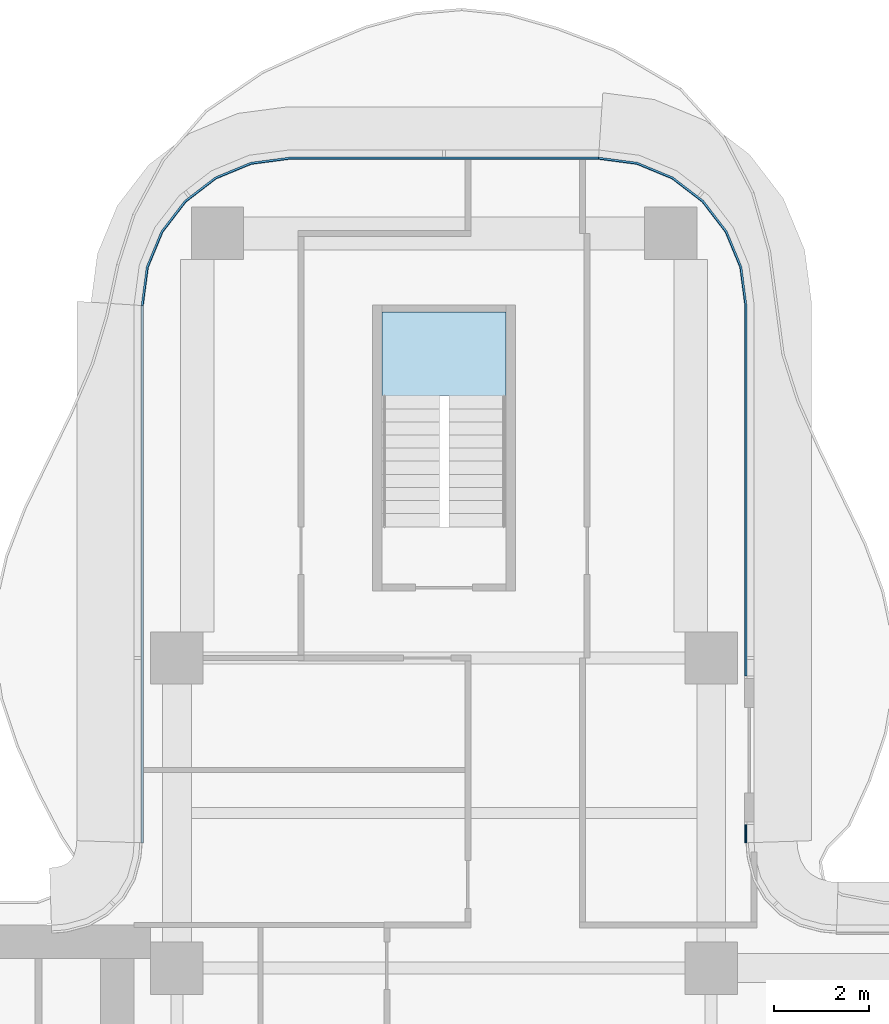
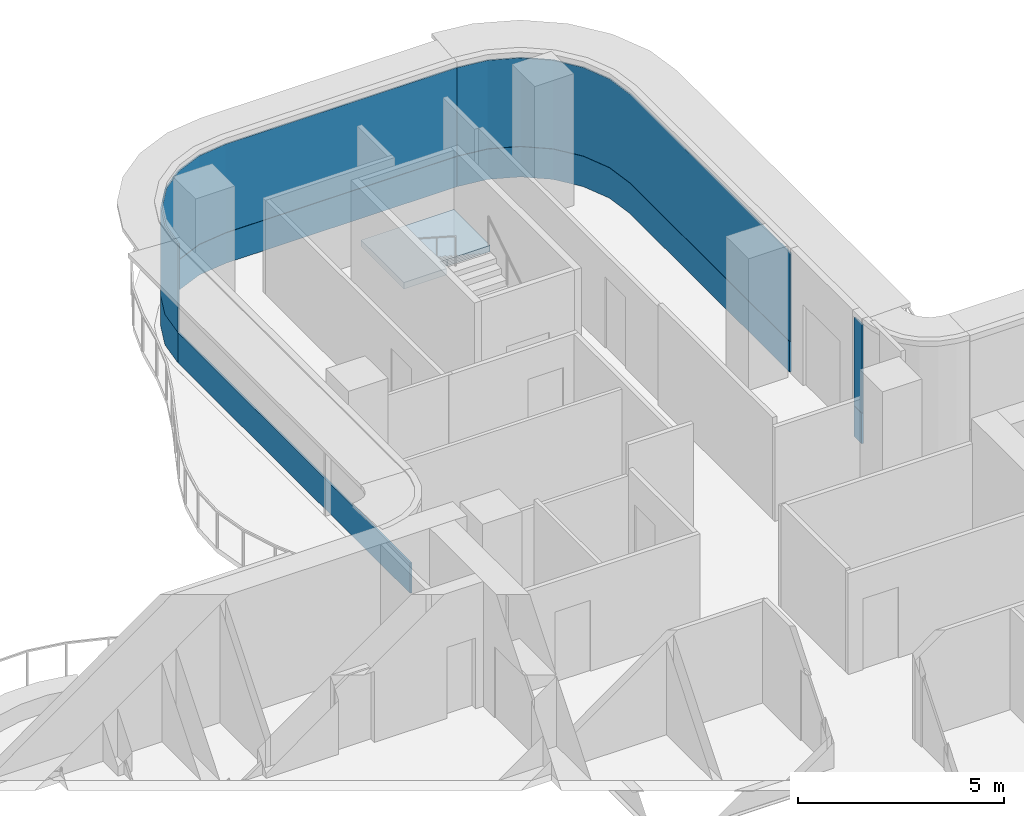
# One storey, part 10 of 16: 7 plates, 1 slab, 5 elements without a shape of their own.
"""IFC4 building model written with IfcOpenShell, lengths in metres."""

from ifc_helpers import new_model, si_unit, direction, frame, origin, place, context, subcontext, project, spatial, polyline, outline, extrude, source, transform, mapped, material, layer, layer_set, type_object, element, aggregate, save


model = new_model("IFC4")

# Units and contexts
model_context = context("Model", 3, precision=1e-05, world=origin(), true_north=direction((0.0, 1.0)))
body_context = subcontext(model_context, "Body", "Model", "MODEL_VIEW")
ifc_project = project(units=[si_unit("LENGTHUNIT", "METRE"), si_unit("AREAUNIT", "SQUARE_METRE"), si_unit("VOLUMEUNIT", "CUBIC_METRE"), si_unit("PLANEANGLEUNIT", "RADIAN"), si_unit("MASSUNIT", "GRAM", prefix="KILO")], contexts=[model_context])

# Site, building, storey
site_placement = place(None, origin())
site = spatial("IfcSite", under=ifc_project, at=site_placement, CompositionType="ELEMENT")
building_placement = place(site_placement, origin())
building = spatial("IfcBuilding", under=site, at=building_placement, Name="Trellis Farm Tower", CompositionType="ELEMENT")
storey_placement = place(building_placement, frame((0.0, 0.0, 255.800048828125)))
storey = spatial("IfcBuildingStorey", under=building, at=storey_placement, Name="L57", CompositionType="ELEMENT", Elevation=255.800048828125)

# Stair, slab
ifc_material_1 = material(Name="Concrete C50/60", Category="concrete")
stair_type = type_object("IfcStairType", Name="CORE EXIT STAIR 22 RISERS 177 MM", PredefinedType="HALF_TURN_STAIR", material=ifc_material_1)
placement_1 = place(storey_placement, origin())
stair = element("IfcStair", 1, at=placement_1, inside=storey, type_object=stair_type, Name="Exit stair N", PredefinedType="HALF_TURN_STAIR")
ifc_layer_1 = layer(ifc_material_1, 0.18994140625)
ifc_layer_set_1 = layer_set([ifc_layer_1], Name="CORE STAIR LANDING 190 CONCRETE C50/60")
slab_type = type_object("IfcSlabType", Name="CORE STAIR LANDING 190 CONCRETE C50/60", PredefinedType="LANDING", material=ifc_layer_set_1)
shared_shape_1 = source(origin(), body_context, "Body", "SweptSolid", [
    extrude(outline(polyline([(-0.10009765625, 17.27197265625), (-1.300048828125, 17.27197265625), (-1.300048828125, 17.60009765625), (-1.300048828125, 19.35009765625), (1.300048828125, 19.35009765625), (1.300048828125, 17.60009765625), (1.300048828125, 17.590087890625), (0.10009765625, 17.590087890625), (0.10009765625, 17.60009765625), (-0.10009765625, 17.60009765625), (-0.10009765625, 17.27197265625)])), origin(), (0.0, 0.0, 1.0), 0.18994140625),
])
slab_placement = place(storey_placement, frame((0.0, 0.0, 1.760009765625)))
slab = element("IfcSlab", 2, at=slab_placement, type_object=slab_type, Name="STN landing 1", PredefinedType="LANDING", context=body_context, shape_type="MappedRepresentation", body=[
    mapped(shared_shape_1, transform((0.0, 0.0, 0.0))),
])
aggregate(stair, [slab])

# Curtain wall, plates
ifc_material_2 = material(Name="Aluminium and glass curtain wall", Category="aluminium")
ifc_layer_2 = layer(ifc_material_2, 0.18994140625)
ifc_layer_set_2 = layer_set([ifc_layer_2], Name="RIBBON CURTAIN WALL CW1")
curtain_wall_type = type_object("IfcCurtainWallType", Name="RIBBON CURTAIN WALL CW1", PredefinedType="NOTDEFINED", material=ifc_layer_set_2)
curtain_wall_1 = element("IfcCurtainWall", 3, at=placement_1, inside=storey, type_object=curtain_wall_type, Name="CW1 010", PredefinedType="NOTDEFINED")
ifc_material_3 = material(Name="Clear insulated glass", Category="glass")
ifc_layer_3 = layer(ifc_material_3, 0.0400390625)
ifc_layer_set_3 = layer_set([ifc_layer_3], Name="CW1 GLASS PANEL 40")
plate_type_1 = type_object("IfcPlateType", Name="CW1 GLASS PANEL 40", PredefinedType="CURTAIN_PANEL", material=ifc_layer_set_3)
shared_shape_2 = source(origin(), body_context, "Body", "SweptSolid", [
    extrude(outline(polyline([(3.240234375, 22.60009765625), (-3.240234375, 22.60009765625), (-4.052001953125, 22.4931640625), (-4.79931640625, 22.18359375), (-5.441162109375, 21.691162109375), (-5.93359375, 21.04931640625), (-6.2431640625, 20.302001953125), (-6.35009765625, 19.490234375), (-6.31005859375, 19.487548828125), (-6.2041015625, 20.29150390625), (-5.898681640625, 21.029296875), (-5.41259765625, 21.66259765625), (-4.779296875, 22.148681640625), (-4.04150390625, 22.4541015625), (-3.237548828125, 22.56005859375), (3.237548828125, 22.56005859375), (3.240234375, 22.60009765625)])), origin(), (0.0, 0.0, 1.0), 2.6201171875),
])
placement_2 = place(storey_placement, frame((0.0, 0.0, 0.89990234375)))
plate_1 = element("IfcPlate", 4, at=placement_2, type_object=plate_type_1, Name="PL1 010", PredefinedType="CURTAIN_PANEL", context=body_context, shape_type="MappedRepresentation", body=[
    mapped(shared_shape_2, transform((0.0, 0.0, 0.0))),
])
ifc_material_4 = material(Name="Sandstone faced insulated panel", Category="masonry")
ifc_layer_4 = layer(ifc_material_4, 0.050048828125)
ifc_layer_set_4 = layer_set([ifc_layer_4], Name="CW1 STONE SPANDREL PANEL 50")
plate_type_2 = type_object("IfcPlateType", Name="CW1 STONE SPANDREL PANEL 50", PredefinedType="CURTAIN_PANEL", material=ifc_layer_set_4)
shared_shape_3 = source(origin(), body_context, "Body", "SweptSolid", [
    extrude(outline(polyline([(3.240234375, 22.60009765625), (-3.240234375, 22.60009765625), (-4.052001953125, 22.4931640625), (-4.79931640625, 22.18359375), (-5.441162109375, 21.691162109375), (-5.93359375, 21.04931640625), (-6.2431640625, 20.302001953125), (-6.35009765625, 19.490234375), (-6.300048828125, 19.48681640625), (-6.1943359375, 20.2890625), (-5.889892578125, 21.024169921875), (-5.405517578125, 21.655517578125), (-4.774169921875, 22.139892578125), (-4.0390625, 22.4443359375), (-3.23681640625, 22.550048828125), (3.23681640625, 22.550048828125), (3.240234375, 22.60009765625)])), origin(), (0.0, 0.0, 1.0), 0.89990234375),
])
plate_2 = element("IfcPlate", 5, at=placement_1, type_object=plate_type_2, Name="PS1 010", PredefinedType="CURTAIN_PANEL", context=body_context, shape_type="MappedRepresentation", body=[
    mapped(shared_shape_3, transform((0.0, 0.0, 0.0))),
])
aggregate(curtain_wall_1, [plate_1, plate_2])

# Curtain wall, plate
curtain_wall_2 = element("IfcCurtainWall", 6, at=placement_1, inside=storey, type_object=curtain_wall_type, Name="CW1 011", PredefinedType="NOTDEFINED")
shared_shape_4 = source(origin(), body_context, "Body", "SweptSolid", [
    extrude(outline(polyline([(-6.35009765625, 19.490234375), (-6.35009765625, 8.2265625), (-6.300048828125, 8.224853515625), (-6.300048828125, 19.48681640625), (-6.35009765625, 19.490234375)])), origin(), (0.0, 0.0, 1.0), 0.89990234375),
])
plate_3 = element("IfcPlate", 7, at=placement_1, type_object=plate_type_2, Name="PS1 011", PredefinedType="CURTAIN_PANEL", context=body_context, shape_type="MappedRepresentation", body=[
    mapped(shared_shape_4, transform((0.0, 0.0, 0.0))),
])
aggregate(curtain_wall_2, [plate_3])

# Curtain wall, plates
curtain_wall_3 = element("IfcCurtainWall", 8, at=placement_1, inside=storey, type_object=curtain_wall_type, Name="CW1 008", PredefinedType="NOTDEFINED")
shared_shape_5 = source(origin(), body_context, "Body", "SweptSolid", [
    extrude(outline(polyline([(6.35009765625, 8.2265625), (6.35009765625, 8.605712890625), (6.31005859375, 8.605712890625), (6.31005859375, 8.22509765625), (6.35009765625, 8.2265625)])), origin(), (0.0, 0.0, 1.0), 2.6201171875),
])
plate_4 = element("IfcPlate", 9, at=placement_2, type_object=plate_type_1, Name="PL1 008", PredefinedType="CURTAIN_PANEL", context=body_context, shape_type="MappedRepresentation", body=[
    mapped(shared_shape_5, transform((0.0, 0.0, 0.0))),
])
shared_shape_6 = source(origin(), body_context, "Body", "SweptSolid", [
    extrude(outline(polyline([(6.35009765625, 8.2265625), (6.35009765625, 8.605712890625), (6.300048828125, 8.605712890625), (6.300048828125, 8.224853515625), (6.35009765625, 8.2265625)])), origin(), (0.0, 0.0, 1.0), 0.89990234375),
])
plate_5 = element("IfcPlate", 10, at=placement_1, type_object=plate_type_2, Name="PS1 008", PredefinedType="CURTAIN_PANEL", context=body_context, shape_type="MappedRepresentation", body=[
    mapped(shared_shape_6, transform((0.0, 0.0, 0.0))),
])
aggregate(curtain_wall_3, [plate_4, plate_5])

curtain_wall_4 = element("IfcCurtainWall", 11, at=placement_1, inside=storey, type_object=curtain_wall_type, Name="CW1 009", PredefinedType="NOTDEFINED")
shared_shape_7 = source(origin(), body_context, "Body", "SweptSolid", [
    extrude(outline(polyline([(6.35009765625, 11.7255859375), (6.35009765625, 19.490234375), (6.2431640625, 20.302001953125), (5.93359375, 21.04931640625), (5.441162109375, 21.691162109375), (4.79931640625, 22.18359375), (4.052001953125, 22.4931640625), (3.240234375, 22.60009765625), (3.237548828125, 22.56005859375), (4.04150390625, 22.4541015625), (4.779296875, 22.148681640625), (5.41259765625, 21.66259765625), (5.898681640625, 21.029296875), (6.2041015625, 20.29150390625), (6.31005859375, 19.487548828125), (6.31005859375, 11.7255859375), (6.35009765625, 11.7255859375)])), origin(), (0.0, 0.0, 1.0), 2.6201171875),
])
plate_6 = element("IfcPlate", 12, at=placement_2, type_object=plate_type_1, Name="PL1 009", PredefinedType="CURTAIN_PANEL", context=body_context, shape_type="MappedRepresentation", body=[
    mapped(shared_shape_7, transform((0.0, 0.0, 0.0))),
])
shared_shape_8 = source(origin(), body_context, "Body", "SweptSolid", [
    extrude(outline(polyline([(6.35009765625, 11.7255859375), (6.35009765625, 19.490234375), (6.2431640625, 20.302001953125), (5.93359375, 21.04931640625), (5.441162109375, 21.691162109375), (4.79931640625, 22.18359375), (4.052001953125, 22.4931640625), (3.240234375, 22.60009765625), (3.23681640625, 22.550048828125), (4.0390625, 22.4443359375), (4.774169921875, 22.139892578125), (5.405517578125, 21.655517578125), (5.889892578125, 21.024169921875), (6.1943359375, 20.2890625), (6.300048828125, 19.48681640625), (6.300048828125, 11.7255859375), (6.35009765625, 11.7255859375)])), origin(), (0.0, 0.0, 1.0), 0.89990234375),
])
plate_7 = element("IfcPlate", 13, at=placement_1, type_object=plate_type_2, Name="PS1 009", PredefinedType="CURTAIN_PANEL", context=body_context, shape_type="MappedRepresentation", body=[
    mapped(shared_shape_8, transform((0.0, 0.0, 0.0))),
])
aggregate(curtain_wall_4, [plate_6, plate_7])

save(model, "model.ifc")
